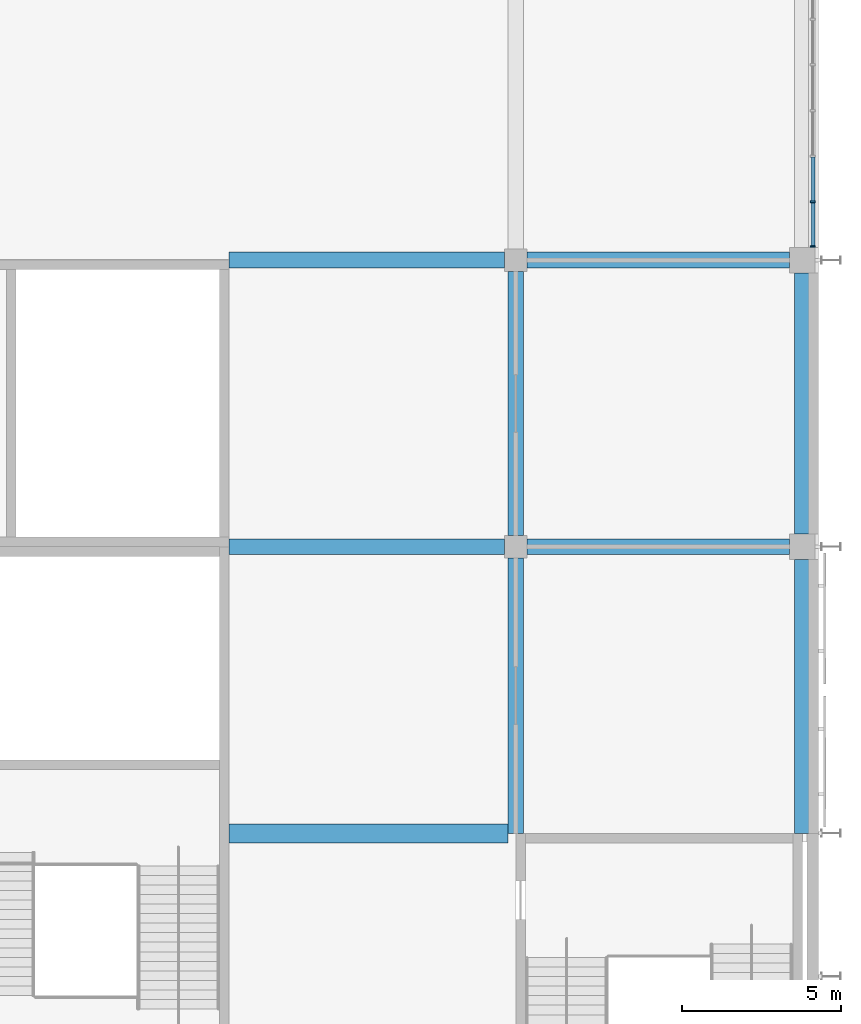
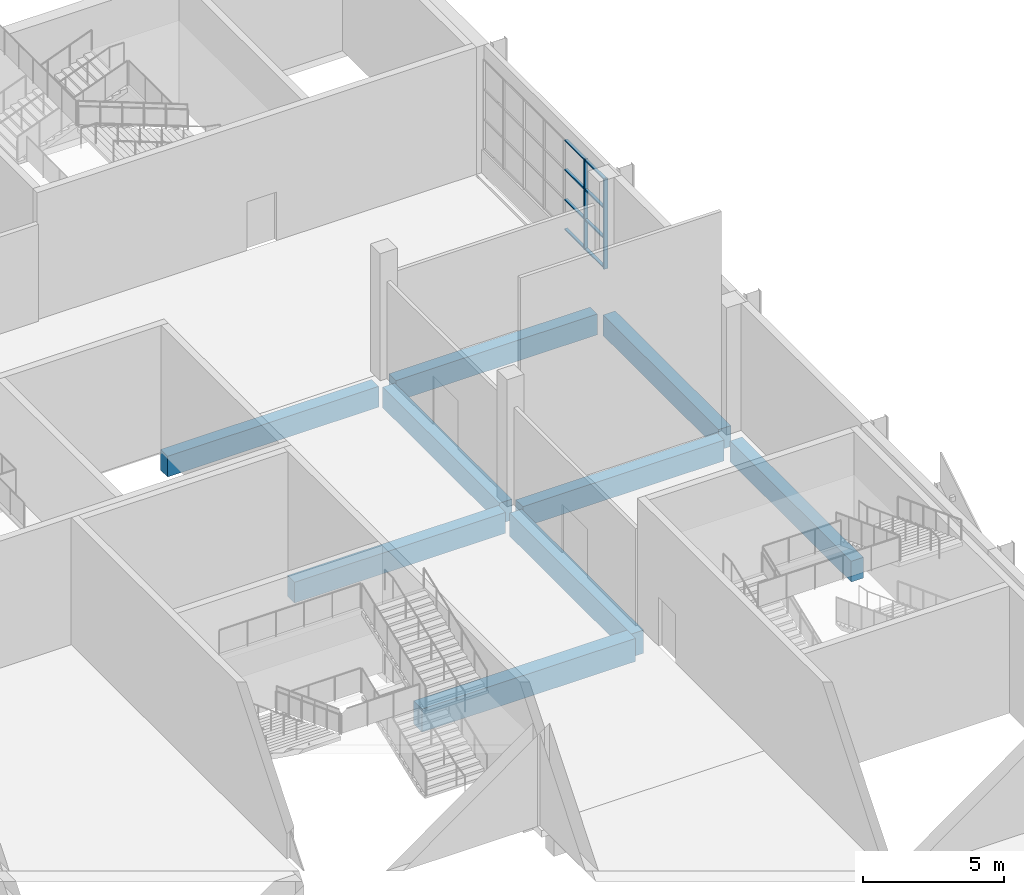
# One storey, part 24 of 84: 10 members, 9 beams, 1 element without a shape of its own.
"""IFC4 building model written with IfcOpenShell, lengths in metres."""

from ifc_helpers import new_model, si_unit, direction, frame, origin, origin_2d, place, context, subcontext, project, spatial, rectangle, extrude, material, material_profile, profile_set, type_object, element, aggregate, save


model = new_model("IFC4")

# Units and contexts
model_context = context("Model", 3, precision=1e-05, world=origin(), true_north=direction((0.0, 1.0)))
body_context = subcontext(model_context, "Body", "Model", "MODEL_VIEW")
ifc_project = project(units=[si_unit("LENGTHUNIT", "METRE"), si_unit("AREAUNIT", "SQUARE_METRE"), si_unit("VOLUMEUNIT", "CUBIC_METRE"), si_unit("PLANEANGLEUNIT", "RADIAN"), si_unit("MASSUNIT", "GRAM", prefix="KILO")], contexts=[model_context])

# Site, building, storey
site_placement = place(None, origin())
site = spatial("IfcSite", under=ifc_project, at=site_placement, CompositionType="ELEMENT")
building_placement = place(site_placement, origin())
building = spatial("IfcBuilding", under=site, at=building_placement, Name="Silverbay Arena", CompositionType="ELEMENT")
storey_placement = place(building_placement, frame((0.0, 0.0, 28.0)))
storey = spatial("IfcBuildingStorey", under=building, at=storey_placement, Name="L04", CompositionType="ELEMENT", Elevation=28.0)

# Curtain wall, members
ifc_material_1 = material(Name="Aluminium framed curtain wall", Category="aluminium")
curtain_wall_type = type_object("IfcCurtainWallType", Name="Curtain wall 8600 x 3900", PredefinedType="NOTDEFINED", material=ifc_material_1)
curtain_wall_placement = place(storey_placement, origin())
curtain_wall = element("IfcCurtainWall", 1, at=curtain_wall_placement, inside=storey, type_object=curtain_wall_type, Name="East curtain wall L04 bay 13", PredefinedType="NOTDEFINED")
ifc_material_2 = material(Name="Aluminium", Category="aluminium")
ifc_material_profile_1 = material_profile(ifc_material_2, rectangle(XDim=0.159912109375, YDim=0.06005859375, at=origin_2d()), Name="Mullion 60 x 160")
ifc_profile_set_1 = profile_set([ifc_material_profile_1], Name="Aluminium")
member_type_1 = type_object("IfcMemberType", Name="Mullion 60 x 160", PredefinedType="MULLION", material=ifc_profile_set_1)
member_1_placement = place(storey_placement, frame((207.330078125, 126.429931640625, 1.0), z_axis=(0.0, 0.0, 1.0), x_axis=(-1.0, 0.0, 0.0)))
member_1 = element("IfcMember", 2, at=member_1_placement, type_object=member_type_1, Name="CW1 mullion 1", PredefinedType="MULLION", context=body_context, shape_type="SweptSolid", body=[
    extrude(rectangle(XDim=0.159912109375, YDim=0.06005859375, at=origin_2d()), origin(), (0.0, 0.0, 1.0), 3.89990234375),
])
member_2_placement = place(storey_placement, frame((207.330078125, 127.833251953125, 1.0), z_axis=(0.0, 0.0, 1.0), x_axis=(-1.0, 0.0, 0.0)))
member_2 = element("IfcMember", 3, at=member_2_placement, type_object=member_type_1, Name="CW1 mullion 2", PredefinedType="MULLION", context=body_context, shape_type="SweptSolid", body=[
    extrude(rectangle(XDim=0.159912109375, YDim=0.06005859375, at=origin_2d()), origin(), (0.0, 0.0, 1.0), 3.89990234375),
])

# Beams
ifc_material_3 = material(Name="Concrete Grade C45", Category="concrete")
ifc_material_profile_2 = material_profile(ifc_material_3, rectangle(XDim=0.5, YDim=1.0, at=origin_2d()), Name="RC 500x1000")
ifc_profile_set_2 = profile_set([ifc_material_profile_2], Name="Concrete Grade C45")
beam_type_1 = type_object("IfcBeamType", Name="RC beam 500x1000", PredefinedType="BEAM", material=ifc_profile_set_2)
beam_1_placement = place(storey_placement, frame((198.0, 108.0, -0.800048828125), z_axis=(0.0, 1.0, 0.0), x_axis=(-1.0, 0.0, 0.0)))
element("IfcBeam", 4, at=beam_1_placement, inside=storey, type_object=beam_type_1, Name="Floor beam L04 150", PredefinedType="BEAM", context=body_context, shape_type="SweptSolid", body=[
    extrude(rectangle(XDim=0.5, YDim=1.0, at=origin_2d()), origin(), (0.0, 0.0, 1.0), 8.64990234375),
])
ifc_material_4 = material(Name="Concrete Grade C45", Category="concrete")
ifc_material_profile_3 = material_profile(ifc_material_4, rectangle(XDim=0.5, YDim=0.89990234375, at=origin_2d()), Name="RC 500x900")
ifc_profile_set_3 = profile_set([ifc_material_profile_3], Name="Concrete Grade C45")
beam_type_2 = type_object("IfcBeamType", Name="RC beam 500x900", PredefinedType="BEAM", material=ifc_profile_set_3)
beam_2_placement = place(storey_placement, frame((189.0, 117.0, -0.75), z_axis=(1.0, 0.0, 0.0), x_axis=(0.0, 1.0, 0.0)))
element("IfcBeam", 5, at=beam_2_placement, inside=storey, type_object=beam_type_2, Name="Floor beam L04 061", PredefinedType="BEAM", context=body_context, shape_type="SweptSolid", body=[
    extrude(rectangle(XDim=0.5, YDim=0.89990234375, at=origin_2d()), origin(), (0.0, 0.0, 1.0), 8.64990234375),
])
beam_3_placement = place(storey_placement, frame((198.35009765625, 117.0, -0.75), z_axis=(1.0, 0.0, 0.0), x_axis=(0.0, 1.0, 0.0)))
element("IfcBeam", 6, at=beam_3_placement, inside=storey, type_object=beam_type_2, Name="Floor beam L04 062", PredefinedType="BEAM", context=body_context, shape_type="SweptSolid", body=[
    extrude(rectangle(XDim=0.5, YDim=0.89990234375, at=origin_2d()), origin(), (0.0, 0.0, 1.0), 8.25),
])
beam_4_placement = place(storey_placement, frame((189.0, 126.0, -0.75), z_axis=(1.0, 0.0, 0.0), x_axis=(0.0, 1.0, 0.0)))
element("IfcBeam", 7, at=beam_4_placement, inside=storey, type_object=beam_type_2, Name="Floor beam L04 065", PredefinedType="BEAM", context=body_context, shape_type="SweptSolid", body=[
    extrude(rectangle(XDim=0.5, YDim=0.89990234375, at=origin_2d()), origin(), (0.0, 0.0, 1.0), 8.64990234375),
])
beam_5_placement = place(storey_placement, frame((198.35009765625, 126.0, -0.75), z_axis=(1.0, 0.0, 0.0), x_axis=(0.0, 1.0, 0.0)))
element("IfcBeam", 8, at=beam_5_placement, inside=storey, type_object=beam_type_2, Name="Floor beam L04 066", PredefinedType="BEAM", context=body_context, shape_type="SweptSolid", body=[
    extrude(rectangle(XDim=0.5, YDim=0.89990234375, at=origin_2d()), origin(), (0.0, 0.0, 1.0), 8.25),
])
beam_6_placement = place(storey_placement, frame((198.0, 117.35009765625, -0.75), z_axis=(0.0, 1.0, 0.0), x_axis=(-1.0, 0.0, 0.0)))
element("IfcBeam", 9, at=beam_6_placement, inside=storey, type_object=beam_type_2, Name="Floor beam L04 151", PredefinedType="BEAM", context=body_context, shape_type="SweptSolid", body=[
    extrude(rectangle(XDim=0.5, YDim=0.89990234375, at=origin_2d()), origin(), (0.0, 0.0, 1.0), 8.2998046875),
])
beam_7_placement = place(storey_placement, frame((207.0, 108.0, -0.75), z_axis=(0.0, 1.0, 0.0), x_axis=(-1.0, 0.0, 0.0)))
element("IfcBeam", 10, at=beam_7_placement, inside=storey, type_object=beam_type_2, Name="Floor beam L04 158", PredefinedType="BEAM", context=body_context, shape_type="SweptSolid", body=[
    extrude(rectangle(XDim=0.5, YDim=0.89990234375, at=origin_2d()), origin(), (0.0, 0.0, 1.0), 8.60009765625),
])
beam_8_placement = place(storey_placement, frame((207.0, 117.39990234375, -0.75), z_axis=(0.0, 1.0, 0.0), x_axis=(-1.0, 0.0, 0.0)))
element("IfcBeam", 11, at=beam_8_placement, inside=storey, type_object=beam_type_2, Name="Floor beam L04 159", PredefinedType="BEAM", context=body_context, shape_type="SweptSolid", body=[
    extrude(rectangle(XDim=0.5, YDim=0.89990234375, at=origin_2d()), origin(), (0.0, 0.0, 1.0), 8.2001953125),
])
ifc_material_5 = material(Name="Concrete Grade C45", Category="concrete")
ifc_material_profile_4 = material_profile(ifc_material_5, rectangle(XDim=0.60009765625, YDim=1.0, at=origin_2d()), Name="RC 600x1000")
ifc_profile_set_4 = profile_set([ifc_material_profile_4], Name="Concrete Grade C45")
beam_type_3 = type_object("IfcBeamType", Name="RC beam 600x1000", PredefinedType="BEAM", material=ifc_profile_set_4)
beam_9_placement = place(storey_placement, frame((189.0, 108.0, -0.800048828125), z_axis=(1.0, 0.0, 0.0), x_axis=(0.0, 1.0, 0.0)))
element("IfcBeam", 12, at=beam_9_placement, inside=storey, type_object=beam_type_3, Name="Floor beam L04 056", PredefinedType="BEAM", context=body_context, shape_type="SweptSolid", body=[
    extrude(rectangle(XDim=0.60009765625, YDim=1.0, at=origin_2d()), origin(), (0.0, 0.0, 1.0), 8.75),
])

# Member
ifc_material_6 = material(Name="Aluminium", Category="aluminium")
ifc_material_profile_5 = material_profile(ifc_material_6, rectangle(XDim=0.1201171875, YDim=0.050048828125, at=origin_2d()), Name="Transom 50 x 120")
ifc_profile_set_5 = profile_set([ifc_material_profile_5], Name="Aluminium")
member_type_2 = type_object("IfcMemberType", Name="Transom 50 x 120", PredefinedType="USERDEFINED", material=ifc_profile_set_5)
member_3_placement = place(storey_placement, frame((207.330078125, 126.4599609375, 1.02490234375), z_axis=(0.0, 1.0, 0.0), x_axis=(-1.0, 0.0, 0.0)))
member_3 = element("IfcMember", 13, at=member_3_placement, type_object=member_type_2, Name="CW1 transom 1.1", ObjectType="TRANSOM", PredefinedType="USERDEFINED", context=body_context, shape_type="SweptSolid", body=[
    extrude(rectangle(XDim=0.1201171875, YDim=0.050048828125, at=origin_2d()), origin(), (0.0, 0.0, 1.0), 1.34326171875),
])

member_4_placement = place(storey_placement, frame((207.330078125, 126.4599609375, 2.300048828125), z_axis=(0.0, 1.0, 0.0), x_axis=(-1.0, 0.0, 0.0)))
member_4 = element("IfcMember", 14, at=member_4_placement, type_object=member_type_2, Name="CW1 transom 1.2", ObjectType="TRANSOM", PredefinedType="USERDEFINED", context=body_context, shape_type="SweptSolid", body=[
    extrude(rectangle(XDim=0.1201171875, YDim=0.050048828125, at=origin_2d()), origin(), (0.0, 0.0, 1.0), 1.34326171875),
])

member_5_placement = place(storey_placement, frame((207.330078125, 126.4599609375, 3.60009765625), z_axis=(0.0, 1.0, 0.0), x_axis=(-1.0, 0.0, 0.0)))
member_5 = element("IfcMember", 15, at=member_5_placement, type_object=member_type_2, Name="CW1 transom 1.3", ObjectType="TRANSOM", PredefinedType="USERDEFINED", context=body_context, shape_type="SweptSolid", body=[
    extrude(rectangle(XDim=0.1201171875, YDim=0.050048828125, at=origin_2d()), origin(), (0.0, 0.0, 1.0), 1.34326171875),
])

member_6_placement = place(storey_placement, frame((207.330078125, 126.4599609375, 4.875), z_axis=(0.0, 1.0, 0.0), x_axis=(-1.0, 0.0, 0.0)))
member_6 = element("IfcMember", 16, at=member_6_placement, type_object=member_type_2, Name="CW1 transom 1.4", ObjectType="TRANSOM", PredefinedType="USERDEFINED", context=body_context, shape_type="SweptSolid", body=[
    extrude(rectangle(XDim=0.1201171875, YDim=0.050048828125, at=origin_2d()), origin(), (0.0, 0.0, 1.0), 1.34326171875),
])

member_7_placement = place(storey_placement, frame((207.330078125, 127.86328125, 1.02490234375), z_axis=(0.0, 1.0, 0.0), x_axis=(-1.0, 0.0, 0.0)))
member_7 = element("IfcMember", 17, at=member_7_placement, type_object=member_type_2, Name="CW1 transom 2.1", ObjectType="TRANSOM", PredefinedType="USERDEFINED", context=body_context, shape_type="SweptSolid", body=[
    extrude(rectangle(XDim=0.1201171875, YDim=0.050048828125, at=origin_2d()), origin(), (0.0, 0.0, 1.0), 1.373291015625),
])

member_8_placement = place(storey_placement, frame((207.330078125, 127.86328125, 2.300048828125), z_axis=(0.0, 1.0, 0.0), x_axis=(-1.0, 0.0, 0.0)))
member_8 = element("IfcMember", 18, at=member_8_placement, type_object=member_type_2, Name="CW1 transom 2.2", ObjectType="TRANSOM", PredefinedType="USERDEFINED", context=body_context, shape_type="SweptSolid", body=[
    extrude(rectangle(XDim=0.1201171875, YDim=0.050048828125, at=origin_2d()), origin(), (0.0, 0.0, 1.0), 1.373291015625),
])

member_9_placement = place(storey_placement, frame((207.330078125, 127.86328125, 3.60009765625), z_axis=(0.0, 1.0, 0.0), x_axis=(-1.0, 0.0, 0.0)))
member_9 = element("IfcMember", 19, at=member_9_placement, type_object=member_type_2, Name="CW1 transom 2.3", ObjectType="TRANSOM", PredefinedType="USERDEFINED", context=body_context, shape_type="SweptSolid", body=[
    extrude(rectangle(XDim=0.1201171875, YDim=0.050048828125, at=origin_2d()), origin(), (0.0, 0.0, 1.0), 1.373291015625),
])

member_10_placement = place(storey_placement, frame((207.330078125, 127.86328125, 4.875), z_axis=(0.0, 1.0, 0.0), x_axis=(-1.0, 0.0, 0.0)))
member_10 = element("IfcMember", 20, at=member_10_placement, type_object=member_type_2, Name="CW1 transom 2.4", ObjectType="TRANSOM", PredefinedType="USERDEFINED", context=body_context, shape_type="SweptSolid", body=[
    extrude(rectangle(XDim=0.1201171875, YDim=0.050048828125, at=origin_2d()), origin(), (0.0, 0.0, 1.0), 1.373291015625),
])

aggregate(curtain_wall, [member_1, member_2, member_3, member_4, member_5, member_6, member_7, member_8, member_9, member_10])

save(model, "model.ifc")
